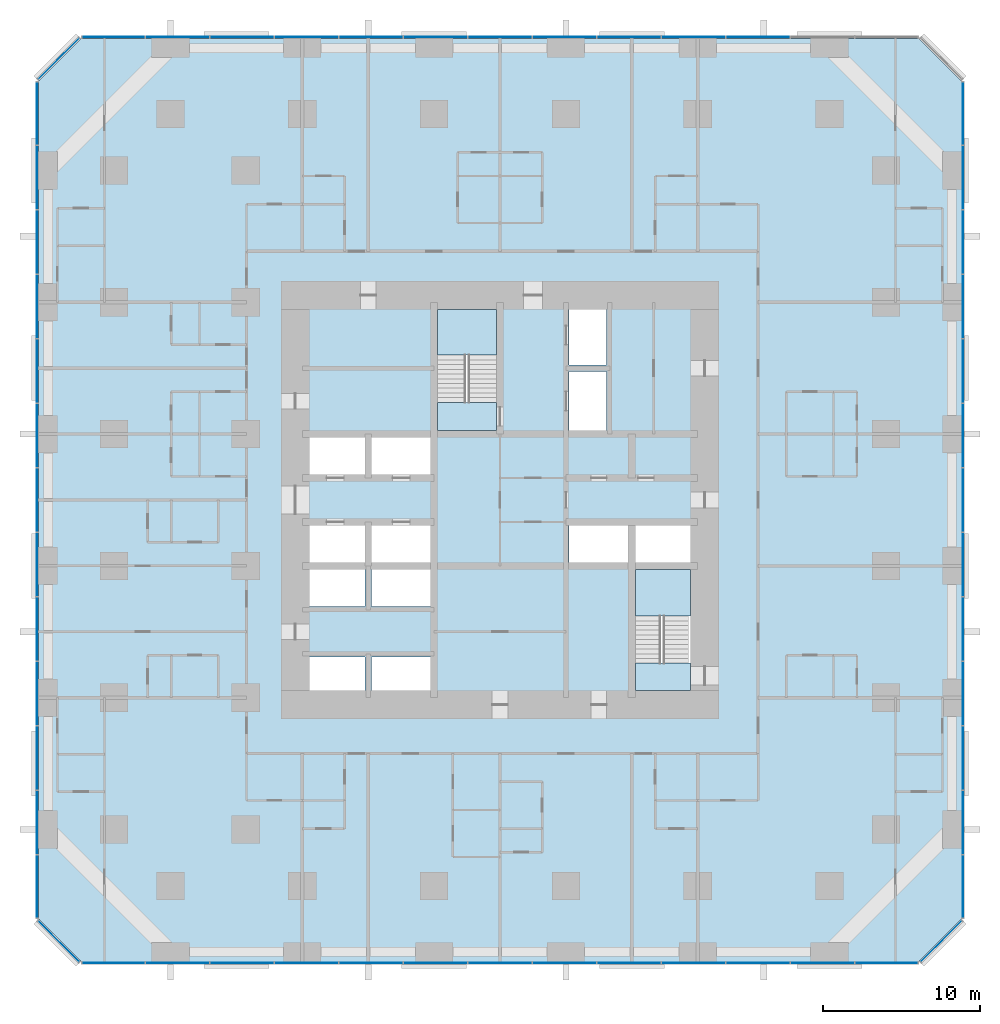
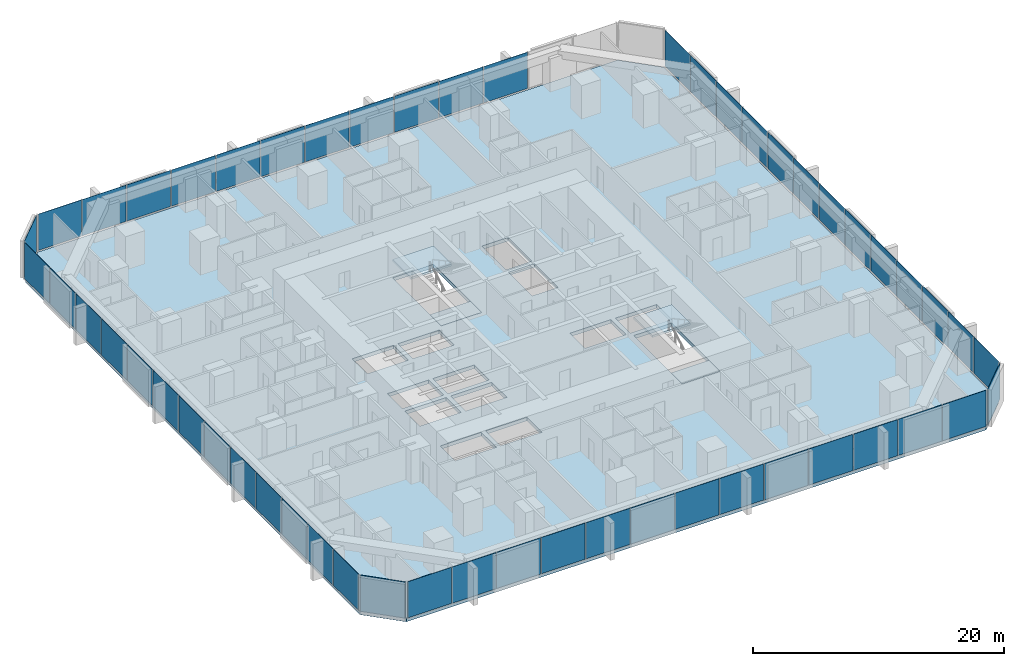
# One storey, part 9 of 17: 53 plates, 5 slabs, 9 elements without a shape of their own.
"""IFC4 building model written with IfcOpenShell, lengths in metres."""

import ifcopenshell
import ifcopenshell.guid

model = None  # the IFC model being written
_history = None  # IfcOwnerHistory: only IFC2X3 demands one
_inside = {}  # id of a spatial element -> (the spatial element, [elements in it])
_under = {}  # id of a project, library or spatial element -> (it, [spatial elements below it])
_declared = {}  # id of a project -> (the project, [libraries it declares])
_typed = {}  # id of a type object -> (the type object, [elements of that type])
_made_of = {}  # id of a material, layer set ... -> (it, [elements and type objects made of it])


def new_model(schema):
    """Start an empty IFC model of exactly this schema.

    Asked for "IFC4X3", IfcOpenShell would pick the latest addendum, in which some entities
    have other attributes; the version numbers below select the first issue.
    IFC2X3 requires an IfcOwnerHistory on every rooted entity: one is made here for all.
    """
    global model, _history
    if schema == "IFC4X3":
        model = ifcopenshell.file(schema_version=(4, 3, 0, 0))
    else:
        model = ifcopenshell.file(schema=schema)
    _inside.clear()
    _under.clear()
    _declared.clear()
    _typed.clear()
    _made_of.clear()
    _history = None
    if model.schema == "IFC2X3":
        org = make("IfcOrganization", Name="unknown")
        user = make(
            "IfcPersonAndOrganization",
            ThePerson=make("IfcPerson", FamilyName="unknown"),
            TheOrganization=org,
        )
        app = make(
            "IfcApplication",
            ApplicationDeveloper=org,
            Version="unknown",
            ApplicationFullName="unknown",
            ApplicationIdentifier="unknown",
        )
        _history = make(
            "IfcOwnerHistory",
            OwningUser=user,
            OwningApplication=app,
            ChangeAction="ADDED",
            CreationDate=0,
        )
    return model


def make(cls, **values):
    """One entity of the class cls with the attributes given. An attribute that is None is left unset."""
    return model.create_entity(
        cls, **{name: value for name, value in values.items() if value is not None}
    )


def rooted(cls, **values):
    """An entity with a GlobalId (a new one), such as an element, a storey or a relation."""
    return make(cls, GlobalId=ifcopenshell.guid.new(), OwnerHistory=_history, **values)


def si_unit(unit_type, name, prefix=None):
    """IfcSIUnit, for example si_unit("LENGTHUNIT", "METRE", prefix="MILLI")."""
    return make("IfcSIUnit", UnitType=unit_type, Prefix=prefix, Name=name)


def assignment(units):
    """IfcUnitAssignment: the units of a project."""
    return None if units is None else make("IfcUnitAssignment", Units=units)


def point(xyz):
    """IfcCartesianPoint."""
    return None if xyz is None else make("IfcCartesianPoint", Coordinates=xyz)


def direction(xyz):
    """IfcDirection."""
    return None if xyz is None else make("IfcDirection", DirectionRatios=xyz)


def frame(location, z_axis=None, x_axis=None):
    """IfcAxis2Placement3D, a coordinate frame: its origin and axes. An axis left out is left unset."""
    return make(
        "IfcAxis2Placement3D",
        Location=point(location),
        Axis=direction(z_axis),
        RefDirection=direction(x_axis),
    )


def frame_2d(location, x_axis=None):
    """IfcAxis2Placement2D, a coordinate frame in the plane: its origin and x axis."""
    return make(
        "IfcAxis2Placement2D", Location=point(location), RefDirection=direction(x_axis)
    )


def origin():
    """The frame at (0, 0, 0) with its axes left unset."""
    return frame((0.0, 0.0, 0.0))


def origin_2d():
    """The frame at (0, 0) in the plane with its x axis left unset."""
    return frame_2d((0.0, 0.0))


def place(relative_to, where):
    """IfcLocalPlacement: puts the frame where relative to a parent placement (None: the world)."""
    return make(
        "IfcLocalPlacement", PlacementRelTo=relative_to, RelativePlacement=where
    )


def context(
    kind, dimensions, precision=None, world=None, true_north=None, identifier=None
):
    """IfcGeometricRepresentationContext, for example the 3D "Model" context."""
    return make(
        "IfcGeometricRepresentationContext",
        ContextIdentifier=identifier,
        ContextType=kind,
        CoordinateSpaceDimension=dimensions,
        Precision=precision,
        WorldCoordinateSystem=world,
        TrueNorth=true_north,
    )


def subcontext(parent, identifier, kind, view, scale=None):
    """IfcGeometricRepresentationSubContext, for example "Body" below "Model"."""
    return make(
        "IfcGeometricRepresentationSubContext",
        ContextIdentifier=identifier,
        ContextType=kind,
        ParentContext=parent,
        TargetScale=scale,
        TargetView=view,
    )


def project(units=None, contexts=None):
    """IfcProject with its units and contexts."""
    return rooted(
        "IfcProject",
        Name="project",
        RepresentationContexts=contexts,
        UnitsInContext=assignment(units),
    )


def spatial(cls, under=None, at=None, **own):
    """A site, building, storey or space (cls), placed at a placement, below another one or the project."""
    s = rooted(cls, ObjectPlacement=at, **own)
    if under is not None:
        _under.setdefault(under.id(), (under, []))[1].append(s)
    return s


def polyline(points):
    """IfcPolyline through the points."""
    return make("IfcPolyline", Points=[point(p) for p in points])


def profile(cls, at=None, kind="AREA", **sizes):
    """A parametric profile (cls). Its sizes go by their IFC names, for example OverallWidth=200.0."""
    return make(cls, ProfileType=kind, Position=at, **sizes)


def rectangle(**sizes):
    """IfcRectangleProfileDef."""
    return profile("IfcRectangleProfileDef", **sizes)


def outline(outer, holes=None, kind="AREA"):
    """IfcArbitraryClosedProfileDef: a profile drawn as a closed curve; with holes, ...WithVoids."""
    if holes is None:
        return make("IfcArbitraryClosedProfileDef", ProfileType=kind, OuterCurve=outer)
    return make(
        "IfcArbitraryProfileDefWithVoids",
        ProfileType=kind,
        OuterCurve=outer,
        InnerCurves=holes,
    )


def extrude(swept, where, along, depth):
    """IfcExtrudedAreaSolid: the profile swept, set in the frame where, extruded along a direction by depth."""
    return make(
        "IfcExtrudedAreaSolid",
        SweptArea=swept,
        Position=where,
        ExtrudedDirection=direction(along),
        Depth=depth,
    )


def shape(context_of_items, identifier, shape_type, items):
    """IfcShapeRepresentation: the items that make up one representation, for example the "Body"."""
    return make(
        "IfcShapeRepresentation",
        ContextOfItems=context_of_items,
        RepresentationIdentifier=identifier,
        RepresentationType=shape_type,
        Items=items,
    )


def material(Name=None, Category=None):
    """IfcMaterial."""
    return make("IfcMaterial", Name=Name, Category=Category)


def layer(
    of_material, thickness, ventilated=None, Name=None, Category=None, Priority=None
):
    """IfcMaterialLayer: one layer of a wall or slab, of a material (None: an air gap)."""
    return make(
        "IfcMaterialLayer",
        Material=of_material,
        LayerThickness=thickness,
        IsVentilated=ventilated,
        Name=Name,
        Category=Category,
        Priority=Priority,
    )


def layer_set(layers, Name=None):
    """IfcMaterialLayerSet."""
    return make("IfcMaterialLayerSet", MaterialLayers=layers, LayerSetName=Name)


def made_of(thing, what):
    """Note that an element or type object is made of a material, layer set ...; save() writes the relation."""
    if what is not None:
        _made_of.setdefault(what.id(), (what, []))[1].append(thing)
    return thing


def type_object(cls, material=None, **own):
    """A type object (cls), such as IfcWallType, which elements share."""
    return made_of(rooted(cls, **own), material)


def element(
    cls,
    number,
    at=None,
    inside=None,
    cuts=None,
    type_object=None,
    material=None,
    context=None,
    identifier="Body",
    shape_type=None,
    held_by="IfcProductDefinitionShape",
    body=None,
    shapes=None,
    **own,
):
    """One element of the class cls, such as IfcWall. Its Tag is "e" and its number.

    at: its placement. inside: the storey or other place that contains it. cuts: it is an
    opening in that element (IfcRelVoidsElement). A single representation is given by context,
    identifier, shape_type and body (its items); several are given by shapes. held_by: the class
    of the entity that holds the representations. save() writes the other relations.
    """
    e = rooted(cls, Tag="e%d" % number, ObjectPlacement=at, **own)
    if body is not None:
        shapes = [shape(context, identifier, shape_type, body)]
    if shapes is not None:
        e.Representation = make(held_by, Representations=shapes)
    if inside is not None:
        _inside.setdefault(inside.id(), (inside, []))[1].append(e)
    if cuts is not None:
        rooted(
            "IfcRelVoidsElement", RelatingBuildingElement=cuts, RelatedOpeningElement=e
        )
    if type_object is not None:
        _typed.setdefault(type_object.id(), (type_object, []))[1].append(e)
    return made_of(e, material)


def aggregate(whole, parts):
    """IfcRelAggregates: a whole, such as a stair, and the parts it consists of."""
    return rooted("IfcRelAggregates", RelatingObject=whole, RelatedObjects=parts)


def save(model, path):
    """Write the relations noted so far, then the file.

    IfcRelAggregates (storeys below a building ...), IfcRelContainedInSpatialStructure (elements
    in a storey), IfcRelDefinesByType, IfcRelAssociatesMaterial and IfcRelDeclares: one each for
    every whole, place, type object, material and project.
    """
    for whole, parts in _under.values():
        aggregate(whole, parts)
    for where, things in _inside.values():
        rooted(
            "IfcRelContainedInSpatialStructure",
            RelatedElements=things,
            RelatingStructure=where,
        )
    for kind, things in _typed.values():
        rooted("IfcRelDefinesByType", RelatedObjects=things, RelatingType=kind)
    for what, things in _made_of.values():
        rooted("IfcRelAssociatesMaterial", RelatedObjects=things, RelatingMaterial=what)
    for by, libraries in _declared.values():
        rooted("IfcRelDeclares", RelatingContext=by, RelatedDefinitions=libraries)
    model.write(path)


model = new_model("IFC4")

# Units and contexts
model_context = context("Model", 3, precision=1e-05, world=origin(), true_north=direction((0.0, 1.0)))
body_context = subcontext(model_context, "Body", "Model", "MODEL_VIEW")
ifc_project = project(units=[si_unit("LENGTHUNIT", "METRE"), si_unit("AREAUNIT", "SQUARE_METRE"), si_unit("VOLUMEUNIT", "CUBIC_METRE"), si_unit("PLANEANGLEUNIT", "RADIAN"), si_unit("MASSUNIT", "GRAM", prefix="KILO")], contexts=[model_context])

# Site, building, storey
site_placement = place(None, origin())
site = spatial("IfcSite", under=ifc_project, at=site_placement, CompositionType="ELEMENT")
building_placement = place(site_placement, origin())
building = spatial("IfcBuilding", under=site, at=building_placement, Name="Dunama Terrace Hotel", CompositionType="ELEMENT")
storey_placement = place(building_placement, frame((0.0, 0.0, 41.39990234375)))
storey = spatial("IfcBuildingStorey", under=building, at=storey_placement, Name="L09", CompositionType="ELEMENT", Elevation=41.39990234375)

# Curtain wall, plates
ifc_material_1 = material(Name="Aluminium curtain wall system", Category="aluminium")
curtain_wall_type = type_object("IfcCurtainWallType", Name="Unitised fritted glass wall CW-A", PredefinedType="NOTDEFINED", material=ifc_material_1)
curtain_wall_1_placement = place(storey_placement, origin())
curtain_wall_1 = element("IfcCurtainWall", 1, at=curtain_wall_1_placement, inside=storey, type_object=curtain_wall_type, Name="Unitised fritted glass wall CW-A L09", PredefinedType="NOTDEFINED")
ifc_material_2 = material(Name="Laminated glass", Category="glass")
ifc_layer_1 = layer(ifc_material_2, 0.030029296875)
ifc_layer_set_1 = layer_set([ifc_layer_1], Name="CWA clear glass panel")
plate_type_1 = type_object("IfcPlateType", Name="CWA clear glass panel", PredefinedType="CURTAIN_PANEL", material=ifc_layer_set_1)
plate_1_placement = place(storey_placement, frame((4.77001953125, -0.10009765625, 0.0751953125), z_axis=(0.0, 0.0, 1.0), x_axis=(1.0, 0.0, 0.0)))
plate_1 = element("IfcPlate", 2, at=plate_1_placement, type_object=plate_type_1, Name="CWA clear glass panel", PredefinedType="CURTAIN_PANEL", context=body_context, shape_type="SweptSolid", body=[
    extrude(rectangle(XDim=4.01025390625, YDim=0.030029296875, at=origin_2d()), origin(), (0.0, 0.0, 1.0), 3.52490234375),
])
plate_2_placement = place(storey_placement, frame((17.076904296875, -0.10009765625, 0.0751953125), z_axis=(0.0, 0.0, 1.0), x_axis=(1.0, 0.0, 0.0)))
plate_2 = element("IfcPlate", 3, at=plate_2_placement, type_object=plate_type_1, Name="CWA clear glass panel", PredefinedType="CURTAIN_PANEL", context=body_context, shape_type="SweptSolid", body=[
    extrude(rectangle(XDim=4.042724609375, YDim=0.030029296875, at=origin_2d()), origin(), (0.0, 0.0, 1.0), 3.52490234375),
])
plate_3_placement = place(storey_placement, frame((29.39990234375, -0.10009765625, 0.0751953125), z_axis=(0.0, 0.0, 1.0), x_axis=(1.0, 0.0, 0.0)))
plate_3 = element("IfcPlate", 4, at=plate_3_placement, type_object=plate_type_1, Name="CWA clear glass panel", PredefinedType="CURTAIN_PANEL", context=body_context, shape_type="SweptSolid", body=[
    extrude(rectangle(XDim=4.042724609375, YDim=0.030029296875, at=origin_2d()), origin(), (0.0, 0.0, 1.0), 3.52490234375),
])
plate_4_placement = place(storey_placement, frame((41.722900390625, -0.10009765625, 0.0751953125), z_axis=(0.0, 0.0, 1.0), x_axis=(1.0, 0.0, 0.0)))
plate_4 = element("IfcPlate", 5, at=plate_4_placement, type_object=plate_type_1, Name="CWA clear glass panel", PredefinedType="CURTAIN_PANEL", context=body_context, shape_type="SweptSolid", body=[
    extrude(rectangle(XDim=4.042724609375, YDim=0.030029296875, at=origin_2d()), origin(), (0.0, 0.0, 1.0), 3.52490234375),
])
plate_5_placement = place(storey_placement, frame((54.030029296875, -0.10009765625, 0.0751953125), z_axis=(0.0, 0.0, 1.0), x_axis=(1.0, 0.0, 0.0)))
plate_5 = element("IfcPlate", 6, at=plate_5_placement, type_object=plate_type_1, Name="CWA clear glass panel", PredefinedType="CURTAIN_PANEL", context=body_context, shape_type="SweptSolid", body=[
    extrude(rectangle(XDim=4.01025390625, YDim=0.030029296875, at=origin_2d()), origin(), (0.0, 0.0, 1.0), 3.52490234375),
])

curtain_wall_2_placement = place(storey_placement, origin())
curtain_wall_2 = element("IfcCurtainWall", 7, at=curtain_wall_2_placement, inside=storey, type_object=curtain_wall_type, Name="Unitised fritted glass wall CW-A L09", PredefinedType="NOTDEFINED")
plate_6_placement = place(storey_placement, frame((58.89990234375, 8.862060546875, 0.0751953125), z_axis=(0.0, 0.0, 1.0), x_axis=(0.0, 1.0, 0.0)))
plate_6 = element("IfcPlate", 8, at=plate_6_placement, type_object=plate_type_1, Name="CWA clear glass panel", PredefinedType="CURTAIN_PANEL", context=body_context, shape_type="SweptSolid", body=[
    extrude(rectangle(XDim=4.042724609375, YDim=0.030029296875, at=origin_2d()), origin(), (0.0, 0.0, 1.0), 3.52490234375),
])
plate_7_placement = place(storey_placement, frame((58.89990234375, 21.18505859375, 0.0751953125), z_axis=(0.0, 0.0, 1.0), x_axis=(0.0, 1.0, 0.0)))
plate_7 = element("IfcPlate", 9, at=plate_7_placement, type_object=plate_type_1, Name="CWA clear glass panel", PredefinedType="CURTAIN_PANEL", context=body_context, shape_type="SweptSolid", body=[
    extrude(rectangle(XDim=4.042724609375, YDim=0.030029296875, at=origin_2d()), origin(), (0.0, 0.0, 1.0), 3.52490234375),
])
plate_8_placement = place(storey_placement, frame((58.89990234375, 33.508056640625, 0.0751953125), z_axis=(0.0, 0.0, 1.0), x_axis=(0.0, 1.0, 0.0)))
plate_8 = element("IfcPlate", 10, at=plate_8_placement, type_object=plate_type_1, Name="CWA clear glass panel", PredefinedType="CURTAIN_PANEL", context=body_context, shape_type="SweptSolid", body=[
    extrude(rectangle(XDim=4.042724609375, YDim=0.030029296875, at=origin_2d()), origin(), (0.0, 0.0, 1.0), 3.52490234375),
])
plate_9_placement = place(storey_placement, frame((58.89990234375, 45.8310546875, 0.0751953125), z_axis=(0.0, 0.0, 1.0), x_axis=(0.0, 1.0, 0.0)))
plate_9 = element("IfcPlate", 11, at=plate_9_placement, type_object=plate_type_1, Name="CWA clear glass panel", PredefinedType="CURTAIN_PANEL", context=body_context, shape_type="SweptSolid", body=[
    extrude(rectangle(XDim=4.042724609375, YDim=0.030029296875, at=origin_2d()), origin(), (0.0, 0.0, 1.0), 3.52490234375),
])

curtain_wall_3_placement = place(storey_placement, origin())
curtain_wall_3 = element("IfcCurtainWall", 12, at=curtain_wall_3_placement, inside=storey, type_object=curtain_wall_type, Name="Unitised fritted glass wall CW-A L09", PredefinedType="NOTDEFINED")
plate_10_placement = place(storey_placement, frame((45.8310546875, 58.89990234375, 0.0751953125), z_axis=(0.0, 0.0, 1.0), x_axis=(-1.0, 0.0, 0.0)))
plate_10 = element("IfcPlate", 13, at=plate_10_placement, type_object=plate_type_1, Name="CWA clear glass panel", PredefinedType="CURTAIN_PANEL", context=body_context, shape_type="SweptSolid", body=[
    extrude(rectangle(XDim=4.042724609375, YDim=0.030029296875, at=origin_2d()), origin(), (0.0, 0.0, 1.0), 3.52490234375),
])
plate_11_placement = place(storey_placement, frame((33.508056640625, 58.89990234375, 0.0751953125), z_axis=(0.0, 0.0, 1.0), x_axis=(-1.0, 0.0, 0.0)))
plate_11 = element("IfcPlate", 14, at=plate_11_placement, type_object=plate_type_1, Name="CWA clear glass panel", PredefinedType="CURTAIN_PANEL", context=body_context, shape_type="SweptSolid", body=[
    extrude(rectangle(XDim=4.042724609375, YDim=0.030029296875, at=origin_2d()), origin(), (0.0, 0.0, 1.0), 3.52490234375),
])
plate_12_placement = place(storey_placement, frame((21.18505859375, 58.89990234375, 0.0751953125), z_axis=(0.0, 0.0, 1.0), x_axis=(-1.0, 0.0, 0.0)))
plate_12 = element("IfcPlate", 15, at=plate_12_placement, type_object=plate_type_1, Name="CWA clear glass panel", PredefinedType="CURTAIN_PANEL", context=body_context, shape_type="SweptSolid", body=[
    extrude(rectangle(XDim=4.042724609375, YDim=0.030029296875, at=origin_2d()), origin(), (0.0, 0.0, 1.0), 3.52490234375),
])
plate_13_placement = place(storey_placement, frame((8.862060546875, 58.89990234375, 0.0751953125), z_axis=(0.0, 0.0, 1.0), x_axis=(-1.0, 0.0, 0.0)))
plate_13 = element("IfcPlate", 16, at=plate_13_placement, type_object=plate_type_1, Name="CWA clear glass panel", PredefinedType="CURTAIN_PANEL", context=body_context, shape_type="SweptSolid", body=[
    extrude(rectangle(XDim=4.042724609375, YDim=0.030029296875, at=origin_2d()), origin(), (0.0, 0.0, 1.0), 3.52490234375),
])

curtain_wall_4_placement = place(storey_placement, origin())
curtain_wall_4 = element("IfcCurtainWall", 17, at=curtain_wall_4_placement, inside=storey, type_object=curtain_wall_type, Name="Unitised fritted glass wall CW-A L09", PredefinedType="NOTDEFINED")
plate_14_placement = place(storey_placement, frame((-0.10009765625, 54.030029296875, 0.0751953125), z_axis=(0.0, 0.0, 1.0), x_axis=(0.0, -1.0, 0.0)))
plate_14 = element("IfcPlate", 18, at=plate_14_placement, type_object=plate_type_1, Name="CWA clear glass panel", PredefinedType="CURTAIN_PANEL", context=body_context, shape_type="SweptSolid", body=[
    extrude(rectangle(XDim=4.01025390625, YDim=0.030029296875, at=origin_2d()), origin(), (0.0, 0.0, 1.0), 3.52490234375),
])
plate_15_placement = place(storey_placement, frame((-0.10009765625, 41.722900390625, 0.0751953125), z_axis=(0.0, 0.0, 1.0), x_axis=(0.0, -1.0, 0.0)))
plate_15 = element("IfcPlate", 19, at=plate_15_placement, type_object=plate_type_1, Name="CWA clear glass panel", PredefinedType="CURTAIN_PANEL", context=body_context, shape_type="SweptSolid", body=[
    extrude(rectangle(XDim=4.042724609375, YDim=0.030029296875, at=origin_2d()), origin(), (0.0, 0.0, 1.0), 3.52490234375),
])
plate_16_placement = place(storey_placement, frame((-0.10009765625, 29.39990234375, 0.0751953125), z_axis=(0.0, 0.0, 1.0), x_axis=(0.0, -1.0, 0.0)))
plate_16 = element("IfcPlate", 20, at=plate_16_placement, type_object=plate_type_1, Name="CWA clear glass panel", PredefinedType="CURTAIN_PANEL", context=body_context, shape_type="SweptSolid", body=[
    extrude(rectangle(XDim=4.042724609375, YDim=0.030029296875, at=origin_2d()), origin(), (0.0, 0.0, 1.0), 3.52490234375),
])
plate_17_placement = place(storey_placement, frame((-0.10009765625, 17.076904296875, 0.0751953125), z_axis=(0.0, 0.0, 1.0), x_axis=(0.0, -1.0, 0.0)))
plate_17 = element("IfcPlate", 21, at=plate_17_placement, type_object=plate_type_1, Name="CWA clear glass panel", PredefinedType="CURTAIN_PANEL", context=body_context, shape_type="SweptSolid", body=[
    extrude(rectangle(XDim=4.042724609375, YDim=0.030029296875, at=origin_2d()), origin(), (0.0, 0.0, 1.0), 3.52490234375),
])
plate_18_placement = place(storey_placement, frame((-0.10009765625, 4.77001953125, 0.0751953125), z_axis=(0.0, 0.0, 1.0), x_axis=(0.0, -1.0, 0.0)))
plate_18 = element("IfcPlate", 22, at=plate_18_placement, type_object=plate_type_1, Name="CWA clear glass panel", PredefinedType="CURTAIN_PANEL", context=body_context, shape_type="SweptSolid", body=[
    extrude(rectangle(XDim=4.01025390625, YDim=0.030029296875, at=origin_2d()), origin(), (0.0, 0.0, 1.0), 3.52490234375),
])

# Plate
ifc_material_3 = material(Name="Fritted laminated glass", Category="glass")
ifc_layer_2 = layer(ifc_material_3, 0.030029296875)
ifc_layer_set_2 = layer_set([ifc_layer_2], Name="CWA fritted glass panel")
plate_type_2 = type_object("IfcPlateType", Name="CWA fritted glass panel", PredefinedType="CURTAIN_PANEL", material=ifc_layer_set_2)
plate_19_placement = place(storey_placement, frame((12.968994140625, -0.10009765625, 0.0751953125), z_axis=(0.0, 0.0, 1.0), x_axis=(1.0, 0.0, 0.0)))
plate_19 = element("IfcPlate", 23, at=plate_19_placement, type_object=plate_type_2, Name="CWA fritted glass panel", PredefinedType="CURTAIN_PANEL", context=body_context, shape_type="SweptSolid", body=[
    extrude(rectangle(XDim=4.042724609375, YDim=0.030029296875, at=origin_2d()), origin(), (0.0, 0.0, 1.0), 3.52490234375),
])

plate_20_placement = place(storey_placement, frame((25.2919921875, -0.10009765625, 0.0751953125), z_axis=(0.0, 0.0, 1.0), x_axis=(1.0, 0.0, 0.0)))
plate_20 = element("IfcPlate", 24, at=plate_20_placement, type_object=plate_type_2, Name="CWA fritted glass panel", PredefinedType="CURTAIN_PANEL", context=body_context, shape_type="SweptSolid", body=[
    extrude(rectangle(XDim=4.042724609375, YDim=0.030029296875, at=origin_2d()), origin(), (0.0, 0.0, 1.0), 3.52490234375),
])

plate_21_placement = place(storey_placement, frame((37.614990234375, -0.10009765625, 0.0751953125), z_axis=(0.0, 0.0, 1.0), x_axis=(1.0, 0.0, 0.0)))
plate_21 = element("IfcPlate", 25, at=plate_21_placement, type_object=plate_type_2, Name="CWA fritted glass panel", PredefinedType="CURTAIN_PANEL", context=body_context, shape_type="SweptSolid", body=[
    extrude(rectangle(XDim=4.042724609375, YDim=0.030029296875, at=origin_2d()), origin(), (0.0, 0.0, 1.0), 3.52490234375),
])

plate_22_placement = place(storey_placement, frame((49.93798828125, -0.10009765625, 0.0751953125), z_axis=(0.0, 0.0, 1.0), x_axis=(1.0, 0.0, 0.0)))
plate_22 = element("IfcPlate", 26, at=plate_22_placement, type_object=plate_type_2, Name="CWA fritted glass panel", PredefinedType="CURTAIN_PANEL", context=body_context, shape_type="SweptSolid", body=[
    extrude(rectangle(XDim=4.042724609375, YDim=0.030029296875, at=origin_2d()), origin(), (0.0, 0.0, 1.0), 3.52490234375),
])

plate_23_placement = place(storey_placement, frame((58.89990234375, 4.77001953125, 0.0751953125), z_axis=(0.0, 0.0, 1.0), x_axis=(0.0, 1.0, 0.0)))
plate_23 = element("IfcPlate", 27, at=plate_23_placement, type_object=plate_type_2, Name="CWA fritted glass panel", PredefinedType="CURTAIN_PANEL", context=body_context, shape_type="SweptSolid", body=[
    extrude(rectangle(XDim=4.01025390625, YDim=0.030029296875, at=origin_2d()), origin(), (0.0, 0.0, 1.0), 3.52490234375),
])

plate_24_placement = place(storey_placement, frame((58.89990234375, 17.076904296875, 0.0751953125), z_axis=(0.0, 0.0, 1.0), x_axis=(0.0, 1.0, 0.0)))
plate_24 = element("IfcPlate", 28, at=plate_24_placement, type_object=plate_type_2, Name="CWA fritted glass panel", PredefinedType="CURTAIN_PANEL", context=body_context, shape_type="SweptSolid", body=[
    extrude(rectangle(XDim=4.042724609375, YDim=0.030029296875, at=origin_2d()), origin(), (0.0, 0.0, 1.0), 3.52490234375),
])

plate_25_placement = place(storey_placement, frame((58.89990234375, 29.39990234375, 0.0751953125), z_axis=(0.0, 0.0, 1.0), x_axis=(0.0, 1.0, 0.0)))
plate_25 = element("IfcPlate", 29, at=plate_25_placement, type_object=plate_type_2, Name="CWA fritted glass panel", PredefinedType="CURTAIN_PANEL", context=body_context, shape_type="SweptSolid", body=[
    extrude(rectangle(XDim=4.042724609375, YDim=0.030029296875, at=origin_2d()), origin(), (0.0, 0.0, 1.0), 3.52490234375),
])

plate_26_placement = place(storey_placement, frame((58.89990234375, 41.722900390625, 0.0751953125), z_axis=(0.0, 0.0, 1.0), x_axis=(0.0, 1.0, 0.0)))
plate_26 = element("IfcPlate", 30, at=plate_26_placement, type_object=plate_type_2, Name="CWA fritted glass panel", PredefinedType="CURTAIN_PANEL", context=body_context, shape_type="SweptSolid", body=[
    extrude(rectangle(XDim=4.042724609375, YDim=0.030029296875, at=origin_2d()), origin(), (0.0, 0.0, 1.0), 3.52490234375),
])

plate_27_placement = place(storey_placement, frame((58.89990234375, 54.030029296875, 0.0751953125), z_axis=(0.0, 0.0, 1.0), x_axis=(0.0, 1.0, 0.0)))
plate_27 = element("IfcPlate", 31, at=plate_27_placement, type_object=plate_type_2, Name="CWA fritted glass panel", PredefinedType="CURTAIN_PANEL", context=body_context, shape_type="SweptSolid", body=[
    extrude(rectangle(XDim=4.01025390625, YDim=0.030029296875, at=origin_2d()), origin(), (0.0, 0.0, 1.0), 3.52490234375),
])

plate_28_placement = place(storey_placement, frame((37.614990234375, 58.89990234375, 0.0751953125), z_axis=(0.0, 0.0, 1.0), x_axis=(-1.0, 0.0, 0.0)))
plate_28 = element("IfcPlate", 32, at=plate_28_placement, type_object=plate_type_2, Name="CWA fritted glass panel", PredefinedType="CURTAIN_PANEL", context=body_context, shape_type="SweptSolid", body=[
    extrude(rectangle(XDim=4.042724609375, YDim=0.030029296875, at=origin_2d()), origin(), (0.0, 0.0, 1.0), 3.52490234375),
])

plate_29_placement = place(storey_placement, frame((25.2919921875, 58.89990234375, 0.0751953125), z_axis=(0.0, 0.0, 1.0), x_axis=(-1.0, 0.0, 0.0)))
plate_29 = element("IfcPlate", 33, at=plate_29_placement, type_object=plate_type_2, Name="CWA fritted glass panel", PredefinedType="CURTAIN_PANEL", context=body_context, shape_type="SweptSolid", body=[
    extrude(rectangle(XDim=4.042724609375, YDim=0.030029296875, at=origin_2d()), origin(), (0.0, 0.0, 1.0), 3.52490234375),
])

plate_30_placement = place(storey_placement, frame((12.968994140625, 58.89990234375, 0.0751953125), z_axis=(0.0, 0.0, 1.0), x_axis=(-1.0, 0.0, 0.0)))
plate_30 = element("IfcPlate", 34, at=plate_30_placement, type_object=plate_type_2, Name="CWA fritted glass panel", PredefinedType="CURTAIN_PANEL", context=body_context, shape_type="SweptSolid", body=[
    extrude(rectangle(XDim=4.042724609375, YDim=0.030029296875, at=origin_2d()), origin(), (0.0, 0.0, 1.0), 3.52490234375),
])

# Curtain wall, plate
curtain_wall_5_placement = place(storey_placement, origin())
curtain_wall_5 = element("IfcCurtainWall", 35, at=curtain_wall_5_placement, inside=storey, type_object=curtain_wall_type, Name="Unitised fritted glass wall CW-A L09", PredefinedType="NOTDEFINED")
plate_31_placement = place(storey_placement, frame((1.279052734375, 57.52099609375, 0.0751953125), z_axis=(0.0, 0.0, 1.0), x_axis=(-0.707106781187, -0.707106781187, 0.0)))
plate_31 = element("IfcPlate", 36, at=plate_31_placement, type_object=plate_type_2, Name="CWA fritted glass panel", PredefinedType="CURTAIN_PANEL", context=body_context, shape_type="SweptSolid", body=[
    extrude(rectangle(XDim=3.6884765625, YDim=0.030029296875, at=origin_2d()), origin(), (0.0, 0.0, 1.0), 3.52490234375),
])
aggregate(curtain_wall_5, [plate_31])

# Plate
plate_32_placement = place(storey_placement, frame((-0.10009765625, 45.8310546875, 0.0751953125), z_axis=(0.0, 0.0, 1.0), x_axis=(0.0, -1.0, 0.0)))
plate_32 = element("IfcPlate", 37, at=plate_32_placement, type_object=plate_type_2, Name="CWA fritted glass panel", PredefinedType="CURTAIN_PANEL", context=body_context, shape_type="SweptSolid", body=[
    extrude(rectangle(XDim=4.042724609375, YDim=0.030029296875, at=origin_2d()), origin(), (0.0, 0.0, 1.0), 3.52490234375),
])

plate_33_placement = place(storey_placement, frame((-0.10009765625, 33.508056640625, 0.0751953125), z_axis=(0.0, 0.0, 1.0), x_axis=(0.0, -1.0, 0.0)))
plate_33 = element("IfcPlate", 38, at=plate_33_placement, type_object=plate_type_2, Name="CWA fritted glass panel", PredefinedType="CURTAIN_PANEL", context=body_context, shape_type="SweptSolid", body=[
    extrude(rectangle(XDim=4.042724609375, YDim=0.030029296875, at=origin_2d()), origin(), (0.0, 0.0, 1.0), 3.52490234375),
])

plate_34_placement = place(storey_placement, frame((-0.10009765625, 21.18505859375, 0.0751953125), z_axis=(0.0, 0.0, 1.0), x_axis=(0.0, -1.0, 0.0)))
plate_34 = element("IfcPlate", 39, at=plate_34_placement, type_object=plate_type_2, Name="CWA fritted glass panel", PredefinedType="CURTAIN_PANEL", context=body_context, shape_type="SweptSolid", body=[
    extrude(rectangle(XDim=4.042724609375, YDim=0.030029296875, at=origin_2d()), origin(), (0.0, 0.0, 1.0), 3.52490234375),
])

plate_35_placement = place(storey_placement, frame((-0.10009765625, 8.862060546875, 0.0751953125), z_axis=(0.0, 0.0, 1.0), x_axis=(0.0, -1.0, 0.0)))
plate_35 = element("IfcPlate", 40, at=plate_35_placement, type_object=plate_type_2, Name="CWA fritted glass panel", PredefinedType="CURTAIN_PANEL", context=body_context, shape_type="SweptSolid", body=[
    extrude(rectangle(XDim=4.042724609375, YDim=0.030029296875, at=origin_2d()), origin(), (0.0, 0.0, 1.0), 3.52490234375),
])

ifc_material_4 = material(Name="Laminated glass", Category="glass")
ifc_layer_3 = layer(ifc_material_4, 0.030029296875)
ifc_layer_set_3 = layer_set([ifc_layer_3], Name="CWA operable glass panel")
plate_type_3 = type_object("IfcPlateType", Name="CWA operable glass panel", PredefinedType="CURTAIN_PANEL", material=ifc_layer_set_3)
plate_36_placement = place(storey_placement, frame((8.862060546875, -0.10009765625, 0.0751953125), z_axis=(0.0, 0.0, 1.0), x_axis=(1.0, 0.0, 0.0)))
plate_36 = element("IfcPlate", 41, at=plate_36_placement, type_object=plate_type_3, Name="CWA operable glass panel", PredefinedType="CURTAIN_PANEL", context=body_context, shape_type="SweptSolid", body=[
    extrude(rectangle(XDim=4.042724609375, YDim=0.030029296875, at=origin_2d()), origin(), (0.0, 0.0, 1.0), 3.52490234375),
])

plate_37_placement = place(storey_placement, frame((21.18505859375, -0.10009765625, 0.0751953125), z_axis=(0.0, 0.0, 1.0), x_axis=(1.0, 0.0, 0.0)))
plate_37 = element("IfcPlate", 42, at=plate_37_placement, type_object=plate_type_3, Name="CWA operable glass panel", PredefinedType="CURTAIN_PANEL", context=body_context, shape_type="SweptSolid", body=[
    extrude(rectangle(XDim=4.042724609375, YDim=0.030029296875, at=origin_2d()), origin(), (0.0, 0.0, 1.0), 3.52490234375),
])

plate_38_placement = place(storey_placement, frame((33.508056640625, -0.10009765625, 0.0751953125), z_axis=(0.0, 0.0, 1.0), x_axis=(1.0, 0.0, 0.0)))
plate_38 = element("IfcPlate", 43, at=plate_38_placement, type_object=plate_type_3, Name="CWA operable glass panel", PredefinedType="CURTAIN_PANEL", context=body_context, shape_type="SweptSolid", body=[
    extrude(rectangle(XDim=4.042724609375, YDim=0.030029296875, at=origin_2d()), origin(), (0.0, 0.0, 1.0), 3.52490234375),
])

plate_39_placement = place(storey_placement, frame((45.8310546875, -0.10009765625, 0.0751953125), z_axis=(0.0, 0.0, 1.0), x_axis=(1.0, 0.0, 0.0)))
plate_39 = element("IfcPlate", 44, at=plate_39_placement, type_object=plate_type_3, Name="CWA operable glass panel", PredefinedType="CURTAIN_PANEL", context=body_context, shape_type="SweptSolid", body=[
    extrude(rectangle(XDim=4.042724609375, YDim=0.030029296875, at=origin_2d()), origin(), (0.0, 0.0, 1.0), 3.52490234375),
])

aggregate(curtain_wall_1, [plate_1, plate_36, plate_19, plate_2, plate_37, plate_20, plate_3, plate_38, plate_21, plate_4, plate_39, plate_22, plate_5])

# Curtain wall, plate
curtain_wall_6_placement = place(storey_placement, origin())
curtain_wall_6 = element("IfcCurtainWall", 45, at=curtain_wall_6_placement, inside=storey, type_object=curtain_wall_type, Name="Unitised fritted glass wall CW-A L09", PredefinedType="NOTDEFINED")
plate_40_placement = place(storey_placement, frame((57.52099609375, 1.279052734375, 0.0751953125), z_axis=(0.0, 0.0, 1.0), x_axis=(0.707106781187, 0.707106781187, 0.0)))
plate_40 = element("IfcPlate", 46, at=plate_40_placement, type_object=plate_type_3, Name="CWA operable glass panel", PredefinedType="CURTAIN_PANEL", context=body_context, shape_type="SweptSolid", body=[
    extrude(rectangle(XDim=3.6884765625, YDim=0.030029296875, at=origin_2d()), origin(), (0.0, 0.0, 1.0), 3.52490234375),
])
aggregate(curtain_wall_6, [plate_40])

# Plate
plate_41_placement = place(storey_placement, frame((58.89990234375, 12.968994140625, 0.0751953125), z_axis=(0.0, 0.0, 1.0), x_axis=(0.0, 1.0, 0.0)))
plate_41 = element("IfcPlate", 47, at=plate_41_placement, type_object=plate_type_3, Name="CWA operable glass panel", PredefinedType="CURTAIN_PANEL", context=body_context, shape_type="SweptSolid", body=[
    extrude(rectangle(XDim=4.042724609375, YDim=0.030029296875, at=origin_2d()), origin(), (0.0, 0.0, 1.0), 3.52490234375),
])

plate_42_placement = place(storey_placement, frame((58.89990234375, 25.2919921875, 0.0751953125), z_axis=(0.0, 0.0, 1.0), x_axis=(0.0, 1.0, 0.0)))
plate_42 = element("IfcPlate", 48, at=plate_42_placement, type_object=plate_type_3, Name="CWA operable glass panel", PredefinedType="CURTAIN_PANEL", context=body_context, shape_type="SweptSolid", body=[
    extrude(rectangle(XDim=4.042724609375, YDim=0.030029296875, at=origin_2d()), origin(), (0.0, 0.0, 1.0), 3.52490234375),
])

plate_43_placement = place(storey_placement, frame((58.89990234375, 37.614990234375, 0.0751953125), z_axis=(0.0, 0.0, 1.0), x_axis=(0.0, 1.0, 0.0)))
plate_43 = element("IfcPlate", 49, at=plate_43_placement, type_object=plate_type_3, Name="CWA operable glass panel", PredefinedType="CURTAIN_PANEL", context=body_context, shape_type="SweptSolid", body=[
    extrude(rectangle(XDim=4.042724609375, YDim=0.030029296875, at=origin_2d()), origin(), (0.0, 0.0, 1.0), 3.52490234375),
])

plate_44_placement = place(storey_placement, frame((58.89990234375, 49.93798828125, 0.0751953125), z_axis=(0.0, 0.0, 1.0), x_axis=(0.0, 1.0, 0.0)))
plate_44 = element("IfcPlate", 50, at=plate_44_placement, type_object=plate_type_3, Name="CWA operable glass panel", PredefinedType="CURTAIN_PANEL", context=body_context, shape_type="SweptSolid", body=[
    extrude(rectangle(XDim=4.042724609375, YDim=0.030029296875, at=origin_2d()), origin(), (0.0, 0.0, 1.0), 3.52490234375),
])

aggregate(curtain_wall_2, [plate_23, plate_6, plate_41, plate_24, plate_7, plate_42, plate_25, plate_8, plate_43, plate_26, plate_9, plate_44, plate_27])

plate_45_placement = place(storey_placement, frame((41.722900390625, 58.89990234375, 0.0751953125), z_axis=(0.0, 0.0, 1.0), x_axis=(-1.0, 0.0, 0.0)))
plate_45 = element("IfcPlate", 51, at=plate_45_placement, type_object=plate_type_3, Name="CWA operable glass panel", PredefinedType="CURTAIN_PANEL", context=body_context, shape_type="SweptSolid", body=[
    extrude(rectangle(XDim=4.042724609375, YDim=0.030029296875, at=origin_2d()), origin(), (0.0, 0.0, 1.0), 3.52490234375),
])

plate_46_placement = place(storey_placement, frame((29.39990234375, 58.89990234375, 0.0751953125), z_axis=(0.0, 0.0, 1.0), x_axis=(-1.0, 0.0, 0.0)))
plate_46 = element("IfcPlate", 52, at=plate_46_placement, type_object=plate_type_3, Name="CWA operable glass panel", PredefinedType="CURTAIN_PANEL", context=body_context, shape_type="SweptSolid", body=[
    extrude(rectangle(XDim=4.042724609375, YDim=0.030029296875, at=origin_2d()), origin(), (0.0, 0.0, 1.0), 3.52490234375),
])

plate_47_placement = place(storey_placement, frame((17.076904296875, 58.89990234375, 0.0751953125), z_axis=(0.0, 0.0, 1.0), x_axis=(-1.0, 0.0, 0.0)))
plate_47 = element("IfcPlate", 53, at=plate_47_placement, type_object=plate_type_3, Name="CWA operable glass panel", PredefinedType="CURTAIN_PANEL", context=body_context, shape_type="SweptSolid", body=[
    extrude(rectangle(XDim=4.042724609375, YDim=0.030029296875, at=origin_2d()), origin(), (0.0, 0.0, 1.0), 3.52490234375),
])

plate_48_placement = place(storey_placement, frame((4.77001953125, 58.89990234375, 0.0751953125), z_axis=(0.0, 0.0, 1.0), x_axis=(-1.0, 0.0, 0.0)))
plate_48 = element("IfcPlate", 54, at=plate_48_placement, type_object=plate_type_3, Name="CWA operable glass panel", PredefinedType="CURTAIN_PANEL", context=body_context, shape_type="SweptSolid", body=[
    extrude(rectangle(XDim=4.01025390625, YDim=0.030029296875, at=origin_2d()), origin(), (0.0, 0.0, 1.0), 3.52490234375),
])

aggregate(curtain_wall_3, [plate_10, plate_45, plate_28, plate_11, plate_46, plate_29, plate_12, plate_47, plate_30, plate_13, plate_48])

plate_49_placement = place(storey_placement, frame((-0.10009765625, 49.93798828125, 0.0751953125), z_axis=(0.0, 0.0, 1.0), x_axis=(0.0, -1.0, 0.0)))
plate_49 = element("IfcPlate", 55, at=plate_49_placement, type_object=plate_type_3, Name="CWA operable glass panel", PredefinedType="CURTAIN_PANEL", context=body_context, shape_type="SweptSolid", body=[
    extrude(rectangle(XDim=4.042724609375, YDim=0.030029296875, at=origin_2d()), origin(), (0.0, 0.0, 1.0), 3.52490234375),
])

plate_50_placement = place(storey_placement, frame((-0.10009765625, 37.614990234375, 0.0751953125), z_axis=(0.0, 0.0, 1.0), x_axis=(0.0, -1.0, 0.0)))
plate_50 = element("IfcPlate", 56, at=plate_50_placement, type_object=plate_type_3, Name="CWA operable glass panel", PredefinedType="CURTAIN_PANEL", context=body_context, shape_type="SweptSolid", body=[
    extrude(rectangle(XDim=4.042724609375, YDim=0.030029296875, at=origin_2d()), origin(), (0.0, 0.0, 1.0), 3.52490234375),
])

plate_51_placement = place(storey_placement, frame((-0.10009765625, 25.2919921875, 0.0751953125), z_axis=(0.0, 0.0, 1.0), x_axis=(0.0, -1.0, 0.0)))
plate_51 = element("IfcPlate", 57, at=plate_51_placement, type_object=plate_type_3, Name="CWA operable glass panel", PredefinedType="CURTAIN_PANEL", context=body_context, shape_type="SweptSolid", body=[
    extrude(rectangle(XDim=4.042724609375, YDim=0.030029296875, at=origin_2d()), origin(), (0.0, 0.0, 1.0), 3.52490234375),
])

plate_52_placement = place(storey_placement, frame((-0.10009765625, 12.968994140625, 0.0751953125), z_axis=(0.0, 0.0, 1.0), x_axis=(0.0, -1.0, 0.0)))
plate_52 = element("IfcPlate", 58, at=plate_52_placement, type_object=plate_type_3, Name="CWA operable glass panel", PredefinedType="CURTAIN_PANEL", context=body_context, shape_type="SweptSolid", body=[
    extrude(rectangle(XDim=4.042724609375, YDim=0.030029296875, at=origin_2d()), origin(), (0.0, 0.0, 1.0), 3.52490234375),
])

aggregate(curtain_wall_4, [plate_14, plate_49, plate_32, plate_15, plate_50, plate_33, plate_16, plate_51, plate_34, plate_17, plate_52, plate_35, plate_18])

# Curtain wall, plate
curtain_wall_7_placement = place(storey_placement, origin())
curtain_wall_7 = element("IfcCurtainWall", 59, at=curtain_wall_7_placement, inside=storey, type_object=curtain_wall_type, Name="Unitised fritted glass wall CW-A L09", PredefinedType="NOTDEFINED")
plate_53_placement = place(storey_placement, frame((1.279052734375, 1.279052734375, 0.0751953125), z_axis=(0.0, 0.0, 1.0), x_axis=(0.707106781187, -0.707106781187, 0.0)))
plate_53 = element("IfcPlate", 60, at=plate_53_placement, type_object=plate_type_3, Name="CWA operable glass panel", PredefinedType="CURTAIN_PANEL", context=body_context, shape_type="SweptSolid", body=[
    extrude(rectangle(XDim=3.6884765625, YDim=0.030029296875, at=origin_2d()), origin(), (0.0, 0.0, 1.0), 3.52490234375),
])
aggregate(curtain_wall_7, [plate_53])

# Slab
ifc_material_5 = material(Name="Concrete C40/50", Category="concrete")
ifc_layer_4 = layer(ifc_material_5, 0.35009765625)
ifc_layer_set_4 = layer_set([ifc_layer_4], Name="Flat plate 350")
slab_type_1 = type_object("IfcSlabType", Name="Flat plate 350", PredefinedType="FLOOR", material=ifc_layer_set_4)
slab_1_placement = place(storey_placement, frame((0.0, 0.0, -0.349853515625)))
element("IfcSlab", 61, at=slab_1_placement, inside=storey, type_object=slab_type_1, Name="Floor slab L09", PredefinedType="FLOOR", context=body_context, shape_type="SweptSolid", body=[
    extrude(outline(polyline([(2.699951171875, 0.0), (56.10009765625, 0.0), (58.800048828125, 2.699951171875), (58.800048828125, 56.10009765625), (56.10009765625, 58.800048828125), (2.699951171875, 58.800048828125), (0.0, 56.10009765625), (0.0, 2.699951171875), (2.699951171875, 0.0)]), holes=[polyline([(20.800048828125, 25.39990234375), (20.800048828125, 27.800048828125), (17.0, 27.800048828125), (17.0, 25.39990234375), (20.800048828125, 25.39990234375)]), polyline([(25.0, 25.39990234375), (25.0, 27.800048828125), (21.199951171875, 27.800048828125), (21.199951171875, 25.39990234375), (25.0, 25.39990234375)]), polyline([(20.800048828125, 31.0), (20.800048828125, 33.39990234375), (17.0, 33.39990234375), (17.0, 31.0), (20.800048828125, 31.0)]), polyline([(25.0, 31.0), (25.0, 33.39990234375), (21.199951171875, 33.39990234375), (21.199951171875, 31.0), (25.0, 31.0)]), polyline([(37.60009765625, 25.39990234375), (37.60009765625, 27.800048828125), (33.800048828125, 27.800048828125), (33.800048828125, 25.39990234375), (37.60009765625, 25.39990234375)]), polyline([(41.800048828125, 25.39990234375), (41.800048828125, 27.800048828125), (38.0, 27.800048828125), (38.0, 25.39990234375), (41.800048828125, 25.39990234375)]), polyline([(20.800048828125, 17.0), (20.800048828125, 19.39990234375), (17.0, 19.39990234375), (17.0, 17.0), (20.800048828125, 17.0)]), polyline([(25.0, 17.0), (25.0, 19.39990234375), (21.199951171875, 19.39990234375), (21.199951171875, 17.0), (25.0, 17.0)]), polyline([(20.800048828125, 22.60009765625), (20.800048828125, 25.0), (17.0, 25.0), (17.0, 22.60009765625), (20.800048828125, 22.60009765625)]), polyline([(25.0, 22.60009765625), (25.0, 25.0), (21.199951171875, 25.0), (21.199951171875, 22.60009765625), (25.0, 22.60009765625)]), polyline([(36.199951171875, 38.0), (36.199951171875, 41.800048828125), (33.800048828125, 41.800048828125), (33.800048828125, 38.0), (36.199951171875, 38.0)]), polyline([(36.199951171875, 33.800048828125), (36.199951171875, 37.60009765625), (33.800048828125, 37.60009765625), (33.800048828125, 33.800048828125), (36.199951171875, 33.800048828125)]), polyline([(29.175048828125, 33.824951171875), (29.175048828125, 41.550048828125), (25.425048828125, 41.550048828125), (25.425048828125, 33.824951171875), (29.175048828125, 33.824951171875)]), polyline([(41.550048828125, 17.25), (41.550048828125, 24.97509765625), (38.050048828125, 24.97509765625), (38.050048828125, 17.25), (41.550048828125, 17.25)])]), origin(), (0.0, 0.0, 1.0), 0.349853515625),
])

# Stair, slabs
ifc_material_6 = material(Name="Concrete C40/50", Category="concrete")
stair_type_1 = type_object("IfcStairType", Name="Stair ST1-3600-1800", PredefinedType="HALF_TURN_STAIR", material=ifc_material_6)
stair_1_placement = place(storey_placement, origin())
stair_1 = element("IfcStair", 62, at=stair_1_placement, inside=storey, type_object=stair_type_1, Name="Stair ST1 L09", PredefinedType="HALF_TURN_STAIR")
ifc_material_7 = material(Name="Concrete C40/50", Category="concrete")
ifc_layer_5 = layer(ifc_material_7, 0.199951171875)
ifc_layer_set_5 = layer_set([ifc_layer_5], Name="Stair landing 200")
slab_type_2 = type_object("IfcSlabType", Name="Stair landing 200", PredefinedType="LANDING", material=ifc_layer_set_5)
slab_2_placement = place(storey_placement, frame((0.0, 0.0, -0.199951171875)))
slab_2 = element("IfcSlab", 63, at=slab_2_placement, type_object=slab_type_2, Name="ST1 landing 1, type S10", PredefinedType="LANDING", context=body_context, shape_type="SweptSolid", body=[
    extrude(outline(polyline([(25.425048828125, 33.824951171875), (29.175048828125, 33.824951171875), (29.175048828125, 35.625), (25.425048828125, 35.625), (25.425048828125, 33.824951171875)])), origin(), (0.0, 0.0, 1.0), 0.199951171875),
])
slab_3_placement = place(storey_placement, frame((0.0, 0.0, 1.60009765625)))
slab_3 = element("IfcSlab", 64, at=slab_3_placement, type_object=slab_type_2, Name="ST1 landing 2, type S10", PredefinedType="LANDING", context=body_context, shape_type="SweptSolid", body=[
    extrude(outline(polyline([(25.425048828125, 38.625), (29.175048828125, 38.625), (29.175048828125, 41.550048828125), (25.425048828125, 41.550048828125), (25.425048828125, 38.625)])), origin(), (0.0, 0.0, 1.0), 0.199951171875),
])
aggregate(stair_1, [slab_2, slab_3])

ifc_material_8 = material(Name="Concrete C40/50", Category="concrete")
stair_type_2 = type_object("IfcStairType", Name="Stair ST2-3600-1600", PredefinedType="HALF_TURN_STAIR", material=ifc_material_8)
stair_2_placement = place(storey_placement, origin())
stair_2 = element("IfcStair", 65, at=stair_2_placement, inside=storey, type_object=stair_type_2, Name="Stair ST2 L09", PredefinedType="HALF_TURN_STAIR")
slab_4_placement = place(storey_placement, frame((0.0, 0.0, -0.199951171875)))
slab_4 = element("IfcSlab", 66, at=slab_4_placement, type_object=slab_type_2, Name="ST2 landing 1, type S10", PredefinedType="LANDING", context=body_context, shape_type="SweptSolid", body=[
    extrude(outline(polyline([(38.050048828125, 17.25), (41.550048828125, 17.25), (41.550048828125, 19.0), (38.050048828125, 19.0), (38.050048828125, 17.25)])), origin(), (0.0, 0.0, 1.0), 0.199951171875),
])
slab_5_placement = place(storey_placement, frame((0.0, 0.0, 1.60009765625)))
slab_5 = element("IfcSlab", 67, at=slab_5_placement, type_object=slab_type_2, Name="ST2 landing 2, type S10", PredefinedType="LANDING", context=body_context, shape_type="SweptSolid", body=[
    extrude(outline(polyline([(38.050048828125, 22.0), (41.550048828125, 22.0), (41.550048828125, 24.97509765625), (38.050048828125, 24.97509765625), (38.050048828125, 22.0)])), origin(), (0.0, 0.0, 1.0), 0.199951171875),
])
aggregate(stair_2, [slab_4, slab_5])

save(model, "model.ifc")
